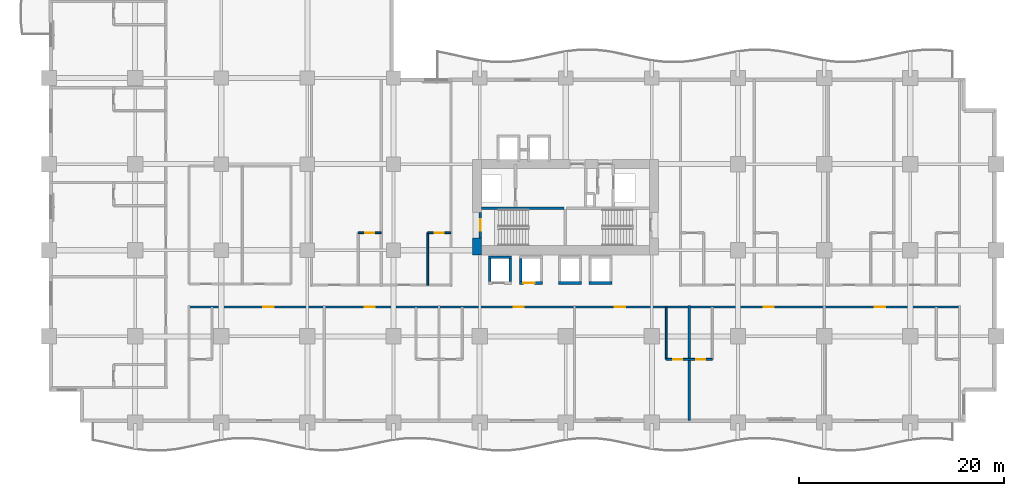
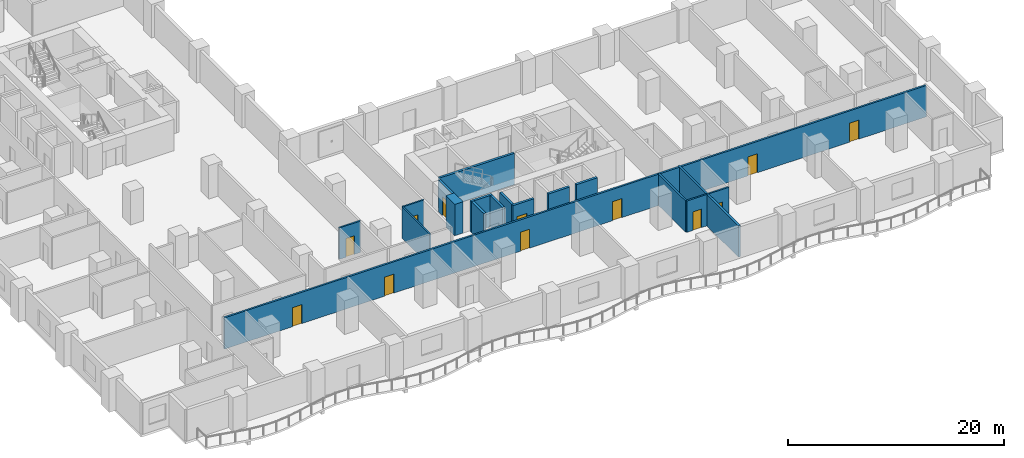
# One storey, part 6 of 22: 17 walls, 12 doors, 12 openings.
"""IFC4 building model written with IfcOpenShell, lengths in metres."""

from ifc_helpers import new_model, si_unit, direction, frame, frame_2d, origin, place, context, subcontext, project, spatial, rectangle, extrude, material, layer, layer_set, type_object, element, fill, save


model = new_model("IFC4")

# Units and contexts
model_context = context("Model", 3, precision=1e-05, world=origin(), true_north=direction((0.0, 1.0)))
body_context = subcontext(model_context, "Body", "Model", "MODEL_VIEW")
ifc_project = project(units=[si_unit("LENGTHUNIT", "METRE"), si_unit("AREAUNIT", "SQUARE_METRE"), si_unit("VOLUMEUNIT", "CUBIC_METRE"), si_unit("PLANEANGLEUNIT", "RADIAN"), si_unit("MASSUNIT", "GRAM", prefix="KILO")], contexts=[model_context])

# Site, building, storey
site_placement = place(None, origin())
site = spatial("IfcSite", under=ifc_project, at=site_placement, CompositionType="ELEMENT")
building_placement = place(site_placement, origin())
building = spatial("IfcBuilding", under=site, at=building_placement, Name="Koriwani Terraces Tower", CompositionType="ELEMENT")
storey_placement = place(building_placement, frame((0.0, 0.0, 43.39990234375)))
storey = spatial("IfcBuildingStorey", under=building, at=storey_placement, Name="L09", CompositionType="ELEMENT", Elevation=43.39990234375)

# Wall
ifc_material_1 = material(Name="Concrete C60/75", Category="concrete")
ifc_layer_1 = layer(ifc_material_1, 0.89990234375, Name="Concrete C60/75")
ifc_layer_set_1 = layer_set([ifc_layer_1], Name="Concrete C60/75")
wall_type_1 = type_object("IfcWallType", Name="WALL_CORE_RC_900", PredefinedType="SHEAR", material=ifc_layer_set_1)
wall_1_placement = place(storey_placement, frame((41.75, 16.35009765625, 0.0), z_axis=(0.0, 0.0, 1.0), x_axis=(0.0, 1.0, 0.0)))
element("IfcWall", 1, at=wall_1_placement, inside=storey, type_object=wall_type_1, Name="L09 East Split Core Shear Wall W1", PredefinedType="SHEAR", context=body_context, shape_type="SweptSolid", body=[
    extrude(rectangle(XDim=1.64990234375, YDim=0.89990234375, at=frame_2d((0.824951171875, 0.0))), origin(), (0.0, 0.0, 1.0), 3.550048828125),
])

# Wall, openings, doors
ifc_material_2 = material(Name="Autoclaved Cellular Concrete Blockwork", Category="masonry")
ifc_layer_2 = layer(ifc_material_2, 0.199951171875, Name="Autoclaved Cellular Concrete Blockwork")
ifc_layer_set_2 = layer_set([ifc_layer_2], Name="Autoclaved Cellular Concrete Blockwork")
wall_type_2 = type_object("IfcWallType", Name="WALL_CORRIDOR_200", PredefinedType="PARTITIONING", material=ifc_layer_set_2)
wall_2_placement = place(storey_placement, frame((13.64990234375, 11.25, 0.0), z_axis=(0.0, 0.0, 1.0), x_axis=(1.0, 0.0, 0.0)))
wall_2 = element("IfcWall", 2, at=wall_2_placement, inside=storey, type_object=wall_type_2, Name="L09 Interior Wall WCOR-L09-SW-0", PredefinedType="PARTITIONING", context=body_context, shape_type="SweptSolid", body=[
    extrude(rectangle(XDim=75.150146484375, YDim=0.199951171875, at=frame_2d((37.5751953125, 0.0))), origin(), (0.0, 0.0, 1.0), 3.550048828125),
])
opening_1_placement = place(wall_2_placement, frame((7.264892578125, 0.0, 0.0)))
opening_1 = element("IfcOpeningElement", 3, at=opening_1_placement, cuts=wall_2, Name="Opening D-05", PredefinedType="OPENING", context=body_context, shape_type="SweptSolid", body=[
    extrude(rectangle(XDim=1.0, YDim=2.14990234375, at=frame_2d((0.5, 1.074951171875))), frame((0.0, 0.10986328125, 0.0), z_axis=(0.0, -1.0, 0.0), x_axis=(1.0, 0.0, 0.0)), (0.0, 0.0, 1.0), 0.219970703125),
])
opening_2_placement = place(wall_2_placement, frame((17.135009765625, 0.0, 0.0)))
opening_2 = element("IfcOpeningElement", 4, at=opening_2_placement, cuts=wall_2, Name="Opening D-05", PredefinedType="OPENING", context=body_context, shape_type="SweptSolid", body=[
    extrude(rectangle(XDim=1.0, YDim=2.14990234375, at=frame_2d((0.5, 1.074951171875))), frame((0.0, 0.10986328125, 0.0), z_axis=(0.0, -1.0, 0.0), x_axis=(1.0, 0.0, 0.0)), (0.0, 0.0, 1.0), 0.219970703125),
])
opening_3_placement = place(wall_2_placement, frame((31.6650390625, 0.0, 0.0)))
opening_3 = element("IfcOpeningElement", 5, at=opening_3_placement, cuts=wall_2, Name="Opening D-05", PredefinedType="OPENING", context=body_context, shape_type="SweptSolid", body=[
    extrude(rectangle(XDim=1.0, YDim=2.14990234375, at=frame_2d((0.5, 1.074951171875))), frame((0.0, 0.10986328125, 0.0), z_axis=(0.0, -1.0, 0.0), x_axis=(1.0, 0.0, 0.0)), (0.0, 0.0, 1.0), 0.219970703125),
])
opening_4_placement = place(wall_2_placement, frame((41.534912109375, 0.0, 0.0)))
opening_4 = element("IfcOpeningElement", 6, at=opening_4_placement, cuts=wall_2, Name="Opening D-05", PredefinedType="OPENING", context=body_context, shape_type="SweptSolid", body=[
    extrude(rectangle(XDim=1.0, YDim=2.14990234375, at=frame_2d((0.5, 1.074951171875))), frame((0.0, 0.10986328125, 0.0), z_axis=(0.0, -1.0, 0.0), x_axis=(1.0, 0.0, 0.0)), (0.0, 0.0, 1.0), 0.219970703125),
])
opening_5_placement = place(wall_2_placement, frame((56.06494140625, 0.0, 0.0)))
opening_5 = element("IfcOpeningElement", 7, at=opening_5_placement, cuts=wall_2, Name="Opening D-05", PredefinedType="OPENING", context=body_context, shape_type="SweptSolid", body=[
    extrude(rectangle(XDim=1.0, YDim=2.14990234375, at=frame_2d((0.5, 1.074951171875))), frame((0.0, 0.10986328125, 0.0), z_axis=(0.0, -1.0, 0.0), x_axis=(1.0, 0.0, 0.0)), (0.0, 0.0, 1.0), 0.219970703125),
])
opening_6_placement = place(wall_2_placement, frame((66.909912109375, 0.0, 0.0)))
opening_6 = element("IfcOpeningElement", 8, at=opening_6_placement, cuts=wall_2, Name="Opening D-05", PredefinedType="OPENING", context=body_context, shape_type="SweptSolid", body=[
    extrude(rectangle(XDim=1.0, YDim=2.14990234375, at=frame_2d((0.5, 1.074951171875))), frame((0.0, 0.10986328125, 0.0), z_axis=(0.0, -1.0, 0.0), x_axis=(1.0, 0.0, 0.0)), (0.0, 0.0, 1.0), 0.219970703125),
])
ifc_material_3 = material(Name="Architectural Oak Fire Door", Category="wood")
door_type_1 = type_object("IfcDoorType", Name="DOOR_SUITE_ENTRY_1000X2150", OperationType="NOTDEFINED", PredefinedType="DOOR", material=ifc_material_3)
door_1_placement = place(opening_1_placement, origin())
door_1 = element("IfcDoor", 9, at=door_1_placement, inside=storey, type_object=door_type_1, Name="Luxury Hotel Suite 09SW1 Entrance Door", OperationType="SINGLE_SWING_LEFT", OverallHeight=2.14990234375, OverallWidth=1.0, PredefinedType="DOOR", context=body_context, shape_type="SweptSolid", body=[
    extrude(rectangle(XDim=1.0, YDim=2.14990234375, at=frame_2d((0.5, 1.074951171875))), frame((0.0, 0.02490234375, 0.0), z_axis=(0.0, -1.0, 0.0), x_axis=(1.0, 0.0, 0.0)), (0.0, 0.0, 1.0), 0.050048828125),
])
fill(opening_1, door_1)
door_2_placement = place(opening_2_placement, origin())
door_2 = element("IfcDoor", 10, at=door_2_placement, inside=storey, type_object=door_type_1, Name="Luxury Hotel Suite 09SW2 Entrance Door", OperationType="SINGLE_SWING_LEFT", OverallHeight=2.14990234375, OverallWidth=1.0, PredefinedType="DOOR", context=body_context, shape_type="SweptSolid", body=[
    extrude(rectangle(XDim=1.0, YDim=2.14990234375, at=frame_2d((0.5, 1.074951171875))), frame((0.0, 0.02490234375, 0.0), z_axis=(0.0, -1.0, 0.0), x_axis=(1.0, 0.0, 0.0)), (0.0, 0.0, 1.0), 0.050048828125),
])
fill(opening_2, door_2)
door_3_placement = place(opening_3_placement, origin())
door_3 = element("IfcDoor", 11, at=door_3_placement, inside=storey, type_object=door_type_1, Name="Luxury Hotel Suite 09SW3 Entrance Door", OperationType="SINGLE_SWING_LEFT", OverallHeight=2.14990234375, OverallWidth=1.0, PredefinedType="DOOR", context=body_context, shape_type="SweptSolid", body=[
    extrude(rectangle(XDim=1.0, YDim=2.14990234375, at=frame_2d((0.5, 1.074951171875))), frame((0.0, 0.02490234375, 0.0), z_axis=(0.0, -1.0, 0.0), x_axis=(1.0, 0.0, 0.0)), (0.0, 0.0, 1.0), 0.050048828125),
])
fill(opening_3, door_3)
door_4_placement = place(opening_4_placement, origin())
door_4 = element("IfcDoor", 12, at=door_4_placement, inside=storey, type_object=door_type_1, Name="Luxury Hotel Suite 09SW4 Entrance Door", OperationType="SINGLE_SWING_LEFT", OverallHeight=2.14990234375, OverallWidth=1.0, PredefinedType="DOOR", context=body_context, shape_type="SweptSolid", body=[
    extrude(rectangle(XDim=1.0, YDim=2.14990234375, at=frame_2d((0.5, 1.074951171875))), frame((0.0, 0.02490234375, 0.0), z_axis=(0.0, -1.0, 0.0), x_axis=(1.0, 0.0, 0.0)), (0.0, 0.0, 1.0), 0.050048828125),
])
fill(opening_4, door_4)
door_5_placement = place(opening_5_placement, origin())
door_5 = element("IfcDoor", 13, at=door_5_placement, inside=storey, type_object=door_type_1, Name="Luxury Hotel Suite 09SW5 Entrance Door", OperationType="SINGLE_SWING_LEFT", OverallHeight=2.14990234375, OverallWidth=1.0, PredefinedType="DOOR", context=body_context, shape_type="SweptSolid", body=[
    extrude(rectangle(XDim=1.0, YDim=2.14990234375, at=frame_2d((0.5, 1.074951171875))), frame((0.0, 0.02490234375, 0.0), z_axis=(0.0, -1.0, 0.0), x_axis=(1.0, 0.0, 0.0)), (0.0, 0.0, 1.0), 0.050048828125),
])
fill(opening_5, door_5)
door_6_placement = place(opening_6_placement, origin())
door_6 = element("IfcDoor", 14, at=door_6_placement, inside=storey, type_object=door_type_1, Name="Luxury Hotel Suite 09SW6 Entrance Door", OperationType="SINGLE_SWING_LEFT", OverallHeight=2.14990234375, OverallWidth=1.0, PredefinedType="DOOR", context=body_context, shape_type="SweptSolid", body=[
    extrude(rectangle(XDim=1.0, YDim=2.14990234375, at=frame_2d((0.5, 1.074951171875))), frame((0.0, 0.02490234375, 0.0), z_axis=(0.0, -1.0, 0.0), x_axis=(1.0, 0.0, 0.0)), (0.0, 0.0, 1.0), 0.050048828125),
])
fill(opening_6, door_6)

# Wall
ifc_layer_3 = layer(ifc_material_2, 0.219970703125, Name="Autoclaved Cellular Concrete Blockwork")
ifc_layer_set_3 = layer_set([ifc_layer_3], Name="Autoclaved Cellular Concrete Blockwork")
wall_type_3 = type_object("IfcWallType", Name="WALL_DEMISING_220", PredefinedType="PARTITIONING", material=ifc_layer_set_3)
wall_3_placement = place(storey_placement, frame((62.449951171875, 0.199951171875, 0.0), z_axis=(0.0, 0.0, 1.0), x_axis=(0.0, 1.0, 0.0)))
element("IfcWall", 15, at=wall_3_placement, inside=storey, type_object=wall_type_3, Name="L09 Interior Wall WDEM-L09-SW-4", PredefinedType="PARTITIONING", context=body_context, shape_type="SweptSolid", body=[
    extrude(rectangle(XDim=11.22998046875, YDim=0.219970703125, at=frame_2d((5.614990234375, 0.0))), origin(), (0.0, 0.0, 1.0), 3.550048828125),
])

# Wall, opening, door
ifc_material_4 = material(Name="Fire-Rated Acoustic Gypsum Partition", Category="masonry")
ifc_layer_4 = layer(ifc_material_4, 0.179931640625, Name="Fire-Rated Acoustic Gypsum Partition")
ifc_layer_set_4 = layer_set([ifc_layer_4], Name="Fire-Rated Acoustic Gypsum Partition")
wall_type_4 = type_object("IfcWallType", Name="WALL_PLUMBING_180", PredefinedType="PLUMBINGWALL", material=ifc_layer_set_4)
wall_4_placement = place(storey_placement, frame((30.14990234375, 18.5, 0.0), z_axis=(0.0, 0.0, 1.0), x_axis=(1.0, 0.0, 0.0)))
wall_4 = element("IfcWall", 16, at=wall_4_placement, inside=storey, type_object=wall_type_4, Name="L09 Interior Wall WBTH1-L09-SWI-0", PredefinedType="PLUMBINGWALL", context=body_context, shape_type="SweptSolid", body=[
    extrude(rectangle(XDim=2.25, YDim=0.179931640625, at=frame_2d((1.125, 0.0))), origin(), (0.0, 0.0, 1.0), 3.550048828125),
])
opening_7_placement = place(wall_4_placement, frame((0.675048828125, 0.0, 0.0)))
opening_7 = element("IfcOpeningElement", 17, at=opening_7_placement, cuts=wall_4, Name="Opening D-07", PredefinedType="OPENING", context=body_context, shape_type="SweptSolid", body=[
    extrude(rectangle(XDim=0.89990234375, YDim=2.10009765625, at=frame_2d((0.449951171875, 1.050048828125))), frame((0.0, 0.10009765625, 0.0), z_axis=(0.0, -1.0, 0.0), x_axis=(1.0, 0.0, 0.0)), (0.0, 0.0, 1.0), 0.199951171875),
])
door_type_2 = type_object("IfcDoorType", Name="DOOR_BATH_INT_900X2100", OperationType="NOTDEFINED", PredefinedType="DOOR", material=ifc_material_3)
door_7_placement = place(opening_7_placement, origin())
door_7 = element("IfcDoor", 18, at=door_7_placement, inside=storey, type_object=door_type_2, Name="En-Suite Bathroom 09SWI1 Door", OperationType="SINGLE_SWING_RIGHT", OverallHeight=2.10009765625, OverallWidth=0.89990234375, PredefinedType="DOOR", context=body_context, shape_type="SweptSolid", body=[
    extrude(rectangle(XDim=0.89990234375, YDim=2.10009765625, at=frame_2d((0.449951171875, 1.050048828125))), frame((0.0, 0.02490234375, 0.0), z_axis=(0.0, -1.0, 0.0), x_axis=(1.0, 0.0, 0.0)), (0.0, 0.0, 1.0), 0.050048828125),
])
fill(opening_7, door_7)

wall_5_placement = place(storey_placement, frame((36.949951171875, 18.5, 0.0), z_axis=(0.0, 0.0, 1.0), x_axis=(1.0, 0.0, 0.0)))
wall_5 = element("IfcWall", 19, at=wall_5_placement, inside=storey, type_object=wall_type_4, Name="L09 Interior Wall WBTH1-L09-SWI-1", PredefinedType="PLUMBINGWALL", context=body_context, shape_type="SweptSolid", body=[
    extrude(rectangle(XDim=2.25, YDim=0.179931640625, at=frame_2d((1.125, 0.0))), origin(), (0.0, 0.0, 1.0), 3.550048828125),
])
opening_8_placement = place(wall_5_placement, frame((0.675048828125, 0.0, 0.0)))
opening_8 = element("IfcOpeningElement", 20, at=opening_8_placement, cuts=wall_5, Name="Opening D-07", PredefinedType="OPENING", context=body_context, shape_type="SweptSolid", body=[
    extrude(rectangle(XDim=0.89990234375, YDim=2.10009765625, at=frame_2d((0.449951171875, 1.050048828125))), frame((0.0, 0.10009765625, 0.0), z_axis=(0.0, -1.0, 0.0), x_axis=(1.0, 0.0, 0.0)), (0.0, 0.0, 1.0), 0.199951171875),
])
door_8_placement = place(opening_8_placement, origin())
door_8 = element("IfcDoor", 21, at=door_8_placement, inside=storey, type_object=door_type_2, Name="En-Suite Bathroom 09SWI2 Door", OperationType="SINGLE_SWING_RIGHT", OverallHeight=2.10009765625, OverallWidth=0.89990234375, PredefinedType="DOOR", context=body_context, shape_type="SweptSolid", body=[
    extrude(rectangle(XDim=0.89990234375, YDim=2.10009765625, at=frame_2d((0.449951171875, 1.050048828125))), frame((0.0, 0.02490234375, 0.0), z_axis=(0.0, -1.0, 0.0), x_axis=(1.0, 0.0, 0.0)), (0.0, 0.0, 1.0), 0.050048828125),
])
fill(opening_8, door_8)

# Wall
wall_6_placement = place(storey_placement, frame((36.949951171875, 13.39990234375, 0.0), z_axis=(0.0, 0.0, 1.0), x_axis=(0.0, 1.0, 0.0)))
element("IfcWall", 22, at=wall_6_placement, inside=storey, type_object=wall_type_4, Name="L09 Interior Wall WBTH2-L09-SWI-1", PredefinedType="PLUMBINGWALL", context=body_context, shape_type="SweptSolid", body=[
    extrude(rectangle(XDim=5.10009765625, YDim=0.179931640625, at=frame_2d((2.550048828125, 0.0))), origin(), (0.0, 0.0, 1.0), 3.550048828125),
])

# Wall, openings, doors
wall_7_placement = place(storey_placement, frame((60.199951171875, 6.14990234375, 0.0), z_axis=(0.0, 0.0, 1.0), x_axis=(1.0, 0.0, 0.0)))
wall_7 = element("IfcWall", 23, at=wall_7_placement, inside=storey, type_object=wall_type_4, Name="L09 Interior Wall WBTH1-L09-SW-3", PredefinedType="PLUMBINGWALL", context=body_context, shape_type="SweptSolid", body=[
    extrude(rectangle(XDim=4.5, YDim=0.179931640625, at=frame_2d((2.25, 0.0))), origin(), (0.0, 0.0, 1.0), 3.550048828125),
])
opening_9_placement = place(wall_7_placement, frame((0.675048828125, 0.0, 0.0)))
opening_9 = element("IfcOpeningElement", 24, at=opening_9_placement, cuts=wall_7, Name="Opening D-07", PredefinedType="OPENING", context=body_context, shape_type="SweptSolid", body=[
    extrude(rectangle(XDim=0.89990234375, YDim=2.10009765625, at=frame_2d((0.449951171875, 1.050048828125))), frame((0.0, 0.10009765625, 0.0), z_axis=(0.0, -1.0, 0.0), x_axis=(1.0, 0.0, 0.0)), (0.0, 0.0, 1.0), 0.199951171875),
])
opening_10_placement = place(wall_7_placement, frame((2.925048828125, 0.0, 0.0)))
opening_10 = element("IfcOpeningElement", 25, at=opening_10_placement, cuts=wall_7, Name="Opening D-07", PredefinedType="OPENING", context=body_context, shape_type="SweptSolid", body=[
    extrude(rectangle(XDim=0.89990234375, YDim=2.10009765625, at=frame_2d((0.449951171875, 1.050048828125))), frame((0.0, 0.10009765625, 0.0), z_axis=(0.0, -1.0, 0.0), x_axis=(1.0, 0.0, 0.0)), (0.0, 0.0, 1.0), 0.199951171875),
])
door_9_placement = place(opening_9_placement, origin())
door_9 = element("IfcDoor", 26, at=door_9_placement, inside=storey, type_object=door_type_2, Name="En-Suite Bathroom 09SW4 Door", OperationType="SINGLE_SWING_RIGHT", OverallHeight=2.10009765625, OverallWidth=0.89990234375, PredefinedType="DOOR", context=body_context, shape_type="SweptSolid", body=[
    extrude(rectangle(XDim=0.89990234375, YDim=2.10009765625, at=frame_2d((0.449951171875, 1.050048828125))), frame((0.0, 0.02490234375, 0.0), z_axis=(0.0, -1.0, 0.0), x_axis=(1.0, 0.0, 0.0)), (0.0, 0.0, 1.0), 0.050048828125),
])
fill(opening_9, door_9)
door_10_placement = place(opening_10_placement, origin())
door_10 = element("IfcDoor", 27, at=door_10_placement, inside=storey, type_object=door_type_2, Name="En-Suite Bathroom 09SW5 Door", OperationType="SINGLE_SWING_RIGHT", OverallHeight=2.10009765625, OverallWidth=0.89990234375, PredefinedType="DOOR", context=body_context, shape_type="SweptSolid", body=[
    extrude(rectangle(XDim=0.89990234375, YDim=2.10009765625, at=frame_2d((0.449951171875, 1.050048828125))), frame((0.0, 0.02490234375, 0.0), z_axis=(0.0, -1.0, 0.0), x_axis=(1.0, 0.0, 0.0)), (0.0, 0.0, 1.0), 0.050048828125),
])
fill(opening_10, door_10)

# Walls
wall_8_placement = place(storey_placement, frame((60.199951171875, 6.14990234375, 0.0), z_axis=(0.0, 0.0, 1.0), x_axis=(0.0, 1.0, 0.0)))
element("IfcWall", 28, at=wall_8_placement, inside=storey, type_object=wall_type_4, Name="L09 Interior Wall WBTH2-L09-SW-3", PredefinedType="PLUMBINGWALL", context=body_context, shape_type="SweptSolid", body=[
    extrude(rectangle(XDim=5.10009765625, YDim=0.179931640625, at=frame_2d((2.550048828125, 0.0))), origin(), (0.0, 0.0, 1.0), 3.550048828125),
])
ifc_material_5 = material(Name="Concrete C40/50", Category="concrete")
ifc_layer_5 = layer(ifc_material_5, 0.25, Name="Concrete C40/50")
ifc_layer_set_5 = layer_set([ifc_layer_5], Name="Concrete C40/50")
wall_type_5 = type_object("IfcWallType", Name="WALL_SHAFT_RATED_250", PredefinedType="SOLIDWALL", material=ifc_layer_set_5)
wall_9_placement = place(storey_placement, frame((42.199951171875, 20.875, 0.0), z_axis=(0.0, 0.0, 1.0), x_axis=(1.0, 0.0, 0.0)))
element("IfcWall", 29, at=wall_9_placement, inside=storey, type_object=wall_type_5, Name="L09 East Split Core Web Wall MID1", PredefinedType="SOLIDWALL", context=body_context, shape_type="SweptSolid", body=[
    extrude(rectangle(XDim=8.050048828125, YDim=0.25, at=frame_2d((4.02490234375, 0.0))), origin(), (0.0, 0.0, 1.0), 3.550048828125),
])

# Wall, opening, door
wall_10_placement = place(storey_placement, frame((42.074951171875, 18.0, 0.0), z_axis=(0.0, 0.0, 1.0), x_axis=(0.0, 1.0, 0.0)))
wall_10 = element("IfcWall", 30, at=wall_10_placement, inside=storey, type_object=wall_type_5, Name="L09 Interior Wall WIN-CE-L09-STW", PredefinedType="SOLIDWALL", context=body_context, shape_type="SweptSolid", body=[
    extrude(rectangle(XDim=2.5, YDim=0.25, at=frame_2d((1.25, 0.0))), origin(), (0.0, 0.0, 1.0), 3.550048828125),
])
opening_11_placement = place(wall_10_placement, frame((0.699951171875, 0.0, 0.0)))
opening_11 = element("IfcOpeningElement", 31, at=opening_11_placement, cuts=wall_10, Name="Opening D-03", PredefinedType="OPENING", context=body_context, shape_type="SweptSolid", body=[
    extrude(rectangle(XDim=1.10009765625, YDim=2.14990234375, at=frame_2d((0.550048828125, 1.074951171875))), frame((0.0, 0.135009765625, 0.0), z_axis=(0.0, -1.0, 0.0), x_axis=(1.0, 0.0, 0.0)), (0.0, 0.0, 1.0), 0.27001953125),
])
ifc_material_6 = material(Name="Steel ASTM A572 Grade 50", Category="steel")
door_type_3 = type_object("IfcDoorType", Name="DOOR_STAIR_FIRE_1100X2150", OperationType="NOTDEFINED", PredefinedType="DOOR", material=ifc_material_6)
door_11_placement = place(opening_11_placement, origin())
door_11 = element("IfcDoor", 32, at=door_11_placement, inside=storey, type_object=door_type_3, Name="L09 Exit Stair ST-E1 Door", OperationType="SINGLE_SWING_RIGHT", OverallHeight=2.14990234375, OverallWidth=1.10009765625, PredefinedType="DOOR", context=body_context, shape_type="SweptSolid", body=[
    extrude(rectangle(XDim=1.10009765625, YDim=2.14990234375, at=frame_2d((0.550048828125, 1.074951171875))), frame((0.0, 0.02490234375, 0.0), z_axis=(0.0, -1.0, 0.0), x_axis=(1.0, 0.0, 0.0)), (0.0, 0.0, 1.0), 0.050048828125),
])
fill(opening_11, door_11)

# Walls
for number, where, z_axis, x_axis, name in (
    (33, (42.875, 16.10009765625, 0.0), (0.0, 0.0, 1.0), (1.0, 0.0, 0.0), "L09 Interior Wall WIN-LF-PE-L3-L09-B"),
    (34, (43.0, 13.72509765625, 0.0), (0.0, 0.0, 1.0), (0.0, 1.0, 0.0), "L09 Interior Wall WIN-LF-PE-L3-L09-W"),
    (35, (45.0, 13.72509765625, 0.0), (0.0, 0.0, 1.0), (0.0, 1.0, 0.0), "L09 Interior Wall WIN-LF-PE-L3-L09-E"),
):
    element("IfcWall", number, at=place(storey_placement, frame(where, z_axis=z_axis, x_axis=x_axis)), inside=storey, type_object=wall_type_5, Name=name, PredefinedType="SOLIDWALL", context=body_context, shape_type="SweptSolid", body=[
        extrude(rectangle(XDim=2.25, YDim=0.25, at=frame_2d((1.125, 0.0))), origin(), (0.0, 0.0, 1.0), 3.550048828125),
    ])

# Wall, opening, door
wall_11_placement = place(storey_placement, frame((45.875, 13.60009765625, 0.0), z_axis=(0.0, 0.0, 1.0), x_axis=(1.0, 0.0, 0.0)))
wall_11 = element("IfcWall", 36, at=wall_11_placement, inside=storey, type_object=wall_type_5, Name="L09 Interior Wall WIN-LF-PE-L4-L09-F", PredefinedType="SOLIDWALL", context=body_context, shape_type="SweptSolid", body=[
    extrude(rectangle(XDim=2.25, YDim=0.25, at=frame_2d((1.125, 0.0))), origin(), (0.0, 0.0, 1.0), 3.550048828125),
])
opening_12_placement = place(wall_11_placement, frame((0.39990234375, 0.0, 0.0)))
opening_12 = element("IfcOpeningElement", 37, at=opening_12_placement, cuts=wall_11, Name="Opening LD-01", PredefinedType="OPENING", context=body_context, shape_type="SweptSolid", body=[
    extrude(rectangle(XDim=1.10009765625, YDim=2.14990234375, at=frame_2d((0.550048828125, 1.074951171875))), frame((0.0, 0.135009765625, 0.0), z_axis=(0.0, -1.0, 0.0), x_axis=(1.0, 0.0, 0.0)), (0.0, 0.0, 1.0), 0.27001953125),
])
door_type_4 = type_object("IfcDoorType", Name="DOOR_LIFT_LANDING_1100X2200", OperationType="NOTDEFINED", PredefinedType="DOOR", material=ifc_material_6)
door_12_placement = place(opening_12_placement, origin())
door_12 = element("IfcDoor", 38, at=door_12_placement, inside=storey, type_object=door_type_4, Name="L09 Passenger Lift PE-L4 Landing Door", OperationType="SLIDING_TO_LEFT", OverallHeight=2.14990234375, OverallWidth=1.10009765625, PredefinedType="DOOR", context=body_context, shape_type="SweptSolid", body=[
    extrude(rectangle(XDim=1.10009765625, YDim=2.14990234375, at=frame_2d((0.550048828125, 1.074951171875))), frame((0.0, 0.02490234375, 0.0), z_axis=(0.0, -1.0, 0.0), x_axis=(1.0, 0.0, 0.0)), (0.0, 0.0, 1.0), 0.050048828125),
])
fill(opening_12, door_12)

# Walls
for number, where, z_axis, x_axis, name in (
    (39, (46.0, 13.72509765625, 0.0), (0.0, 0.0, 1.0), (0.0, 1.0, 0.0), "L09 Interior Wall WIN-LF-PE-L4-L09-W"),
    (40, (49.675048828125, 13.60009765625, 0.0), (0.0, 0.0, 1.0), (1.0, 0.0, 0.0), "L09 Interior Wall WIN-LF-PE-M3-L09-F"),
    (41, (52.675048828125, 13.60009765625, 0.0), (0.0, 0.0, 1.0), (1.0, 0.0, 0.0), "L09 Interior Wall WIN-LF-PE-M4-L09-F"),
):
    element("IfcWall", number, at=place(storey_placement, frame(where, z_axis=z_axis, x_axis=x_axis)), inside=storey, type_object=wall_type_5, Name=name, PredefinedType="SOLIDWALL", context=body_context, shape_type="SweptSolid", body=[
        extrude(rectangle(XDim=2.25, YDim=0.25, at=frame_2d((1.125, 0.0))), origin(), (0.0, 0.0, 1.0), 3.550048828125),
    ])

save(model, "model.ifc")
